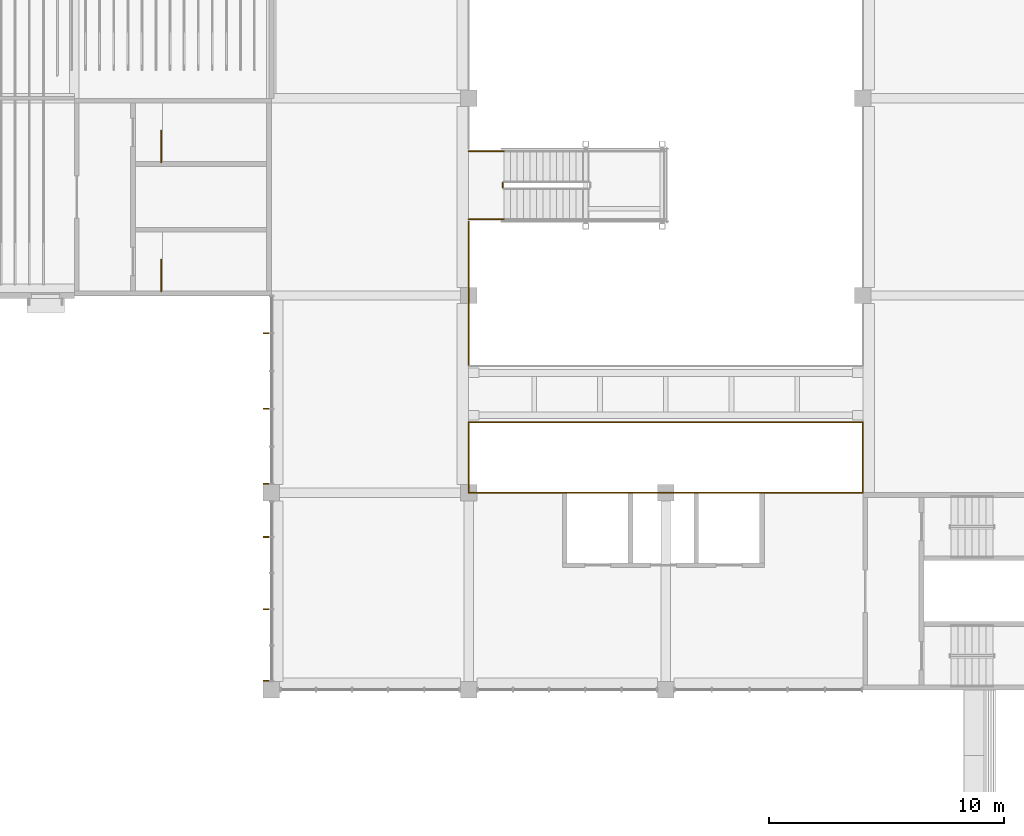
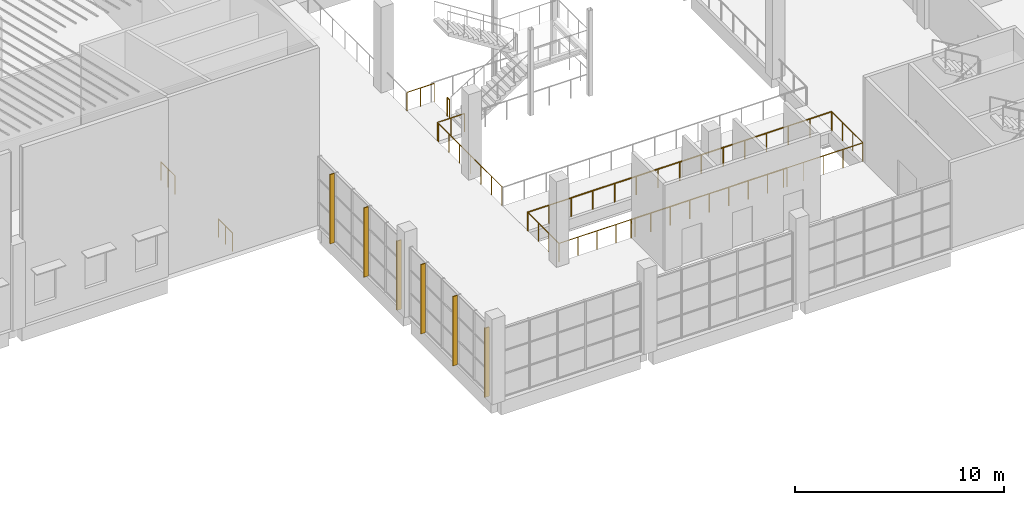
# One storey, part 69 of 82: 12 railings, 6 shading devices.
"""IFC4 building model written with IfcOpenShell, lengths in metres."""

from ifc_helpers import new_model, si_unit, direction, frame, origin, origin_2d, place, context, subcontext, project, spatial, rectangle, circle, extrude, material, material_profile, profile_set, type_object, element, save


model = new_model("IFC4")

# Units and contexts
model_context = context("Model", 3, precision=1e-05, world=origin(), true_north=direction((0.0, 1.0)))
body_context = subcontext(model_context, "Body", "Model", "MODEL_VIEW")
ifc_project = project(units=[si_unit("LENGTHUNIT", "METRE"), si_unit("AREAUNIT", "SQUARE_METRE"), si_unit("VOLUMEUNIT", "CUBIC_METRE"), si_unit("PLANEANGLEUNIT", "RADIAN"), si_unit("MASSUNIT", "GRAM", prefix="KILO")], contexts=[model_context])

# Site, building, storey
site_placement = place(None, origin())
site = spatial("IfcSite", under=ifc_project, at=site_placement, CompositionType="ELEMENT")
building_placement = place(site_placement, origin())
building = spatial("IfcBuilding", under=site, at=building_placement, Name="Almond Square Museum", CompositionType="ELEMENT")
storey_placement = place(building_placement, frame((0.0, 0.0, 20.0)))
storey = spatial("IfcBuildingStorey", under=building, at=storey_placement, Name="L03", CompositionType="ELEMENT", Elevation=20.0)

# Railings
ifc_material_1 = material(Name="Laminated glass and stainless steel", Category="steel")
railing_type_1 = type_object("IfcRailingType", Name="Atrium bridge guard 1100", PredefinedType="GUARDRAIL", material=ifc_material_1)
railing_1_placement = place(storey_placement, frame((81.60009765625, 78.60009765625, 0.0)))
element("IfcRailing", 1, at=railing_1_placement, inside=storey, type_object=railing_type_1, Name="BR-L03-1 bridge guard south", PredefinedType="GUARDRAIL", context=body_context, shape_type="SweptSolid", body=[
    extrude(circle(Radius=0.02392578125, at=origin_2d()), frame((0.0, 0.0, 1.076171875), z_axis=(1.0, 0.0, 0.0), x_axis=(0.0, 1.0, 0.0)), (0.0, 0.0, 1.0), 16.7998046875),
    extrude(circle(Radius=0.02099609375, at=origin_2d()), origin(), (0.0, 0.0, 1.0), 1.052001953125),
    extrude(circle(Radius=0.02099609375, at=origin_2d()), frame((1.199951171875, 0.0, 0.0)), (0.0, 0.0, 1.0), 1.052001953125),
    extrude(circle(Radius=0.02099609375, at=origin_2d()), frame((2.39990234375, 0.0, 0.0)), (0.0, 0.0, 1.0), 1.052001953125),
    extrude(circle(Radius=0.02099609375, at=origin_2d()), frame((3.599853515625, 0.0, 0.0)), (0.0, 0.0, 1.0), 1.052001953125),
    extrude(circle(Radius=0.02099609375, at=origin_2d()), frame((4.800048828125, 0.0, 0.0)), (0.0, 0.0, 1.0), 1.052001953125),
    extrude(circle(Radius=0.02099609375, at=origin_2d()), frame((6.0, 0.0, 0.0)), (0.0, 0.0, 1.0), 1.052001953125),
    extrude(circle(Radius=0.02099609375, at=origin_2d()), frame((7.199951171875, 0.0, 0.0)), (0.0, 0.0, 1.0), 1.052001953125),
    extrude(circle(Radius=0.02099609375, at=origin_2d()), frame((8.39990234375, 0.0, 0.0)), (0.0, 0.0, 1.0), 1.052001953125),
    extrude(circle(Radius=0.02099609375, at=origin_2d()), frame((9.599853515625, 0.0, 0.0)), (0.0, 0.0, 1.0), 1.052001953125),
    extrude(circle(Radius=0.02099609375, at=origin_2d()), frame((10.7998046875, 0.0, 0.0)), (0.0, 0.0, 1.0), 1.052001953125),
    extrude(circle(Radius=0.02099609375, at=origin_2d()), frame((11.999755859375, 0.0, 0.0)), (0.0, 0.0, 1.0), 1.052001953125),
    extrude(circle(Radius=0.02099609375, at=origin_2d()), frame((13.199951171875, 0.0, 0.0)), (0.0, 0.0, 1.0), 1.052001953125),
    extrude(circle(Radius=0.02099609375, at=origin_2d()), frame((14.39990234375, 0.0, 0.0)), (0.0, 0.0, 1.0), 1.052001953125),
    extrude(circle(Radius=0.02099609375, at=origin_2d()), frame((15.599853515625, 0.0, 0.0)), (0.0, 0.0, 1.0), 1.052001953125),
    extrude(circle(Radius=0.02099609375, at=origin_2d()), frame((16.7998046875, 0.0, 0.0)), (0.0, 0.0, 1.0), 1.052001953125),
])
ifc_material_2 = material(Name="Laminated glass and stainless steel", Category="steel")
railing_type_2 = type_object("IfcRailingType", Name="Atrium guard 1100 glass balustrade", PredefinedType="GUARDRAIL", material=ifc_material_2)
railing_2_placement = place(storey_placement, frame((81.60009765625, 75.60009765625, 0.0)))
element("IfcRailing", 2, at=railing_2_placement, inside=storey, type_object=railing_type_2, Name="L03 atrium guard 1", PredefinedType="GUARDRAIL", context=body_context, shape_type="SweptSolid", body=[
    extrude(circle(Radius=0.02392578125, at=origin_2d()), frame((0.0, 0.0, 1.076171875), z_axis=(0.0, 1.0, 0.0), x_axis=(-1.0, 0.0, 0.0)), (0.0, 0.0, 1.0), 2.949951171875),
    extrude(circle(Radius=0.02099609375, at=origin_2d()), origin(), (0.0, 0.0, 1.0), 1.052001953125),
    extrude(circle(Radius=0.02099609375, at=origin_2d()), frame((0.0, 0.9833984375, 0.0)), (0.0, 0.0, 1.0), 1.052001953125),
    extrude(circle(Radius=0.02099609375, at=origin_2d()), frame((0.0, 1.966552734375, 0.0)), (0.0, 0.0, 1.0), 1.052001953125),
    extrude(circle(Radius=0.02099609375, at=origin_2d()), frame((0.0, 2.949951171875, 0.0)), (0.0, 0.0, 1.0), 1.052001953125),
])
railing_3_placement = place(storey_placement, frame((81.60009765625, 81.050048828125, 0.0)))
element("IfcRailing", 3, at=railing_3_placement, inside=storey, type_object=railing_type_2, Name="L03 atrium guard 2", PredefinedType="GUARDRAIL", context=body_context, shape_type="SweptSolid", body=[
    extrude(circle(Radius=0.02392578125, at=origin_2d()), frame((0.0, 0.0, 1.076171875), z_axis=(0.0, 1.0, 0.0), x_axis=(-1.0, 0.0, 0.0)), (0.0, 0.0, 1.0), 6.099853515625),
    extrude(circle(Radius=0.02099609375, at=origin_2d()), origin(), (0.0, 0.0, 1.0), 1.052001953125),
    extrude(circle(Radius=0.02099609375, at=origin_2d()), frame((0.0, 1.0166015625, 0.0)), (0.0, 0.0, 1.0), 1.052001953125),
    extrude(circle(Radius=0.02099609375, at=origin_2d()), frame((0.0, 2.033203125, 0.0)), (0.0, 0.0, 1.0), 1.052001953125),
    extrude(circle(Radius=0.02099609375, at=origin_2d()), frame((0.0, 3.0498046875, 0.0)), (0.0, 0.0, 1.0), 1.052001953125),
    extrude(circle(Radius=0.02099609375, at=origin_2d()), frame((0.0, 4.066650390625, 0.0)), (0.0, 0.0, 1.0), 1.052001953125),
    extrude(circle(Radius=0.02099609375, at=origin_2d()), frame((0.0, 5.083251953125, 0.0)), (0.0, 0.0, 1.0), 1.052001953125),
    extrude(circle(Radius=0.02099609375, at=origin_2d()), frame((0.0, 6.099853515625, 0.0)), (0.0, 0.0, 1.0), 1.052001953125),
])
railing_4_placement = place(storey_placement, frame((98.39990234375, 75.60009765625, 0.0)))
element("IfcRailing", 4, at=railing_4_placement, inside=storey, type_object=railing_type_2, Name="L03 atrium guard 4", PredefinedType="GUARDRAIL", context=body_context, shape_type="SweptSolid", body=[
    extrude(circle(Radius=0.02392578125, at=origin_2d()), frame((0.0, 0.0, 1.076171875), z_axis=(0.0, 1.0, 0.0), x_axis=(-1.0, 0.0, 0.0)), (0.0, 0.0, 1.0), 2.949951171875),
    extrude(circle(Radius=0.02099609375, at=origin_2d()), origin(), (0.0, 0.0, 1.0), 1.052001953125),
    extrude(circle(Radius=0.02099609375, at=origin_2d()), frame((0.0, 0.9833984375, 0.0)), (0.0, 0.0, 1.0), 1.052001953125),
    extrude(circle(Radius=0.02099609375, at=origin_2d()), frame((0.0, 1.966552734375, 0.0)), (0.0, 0.0, 1.0), 1.052001953125),
    extrude(circle(Radius=0.02099609375, at=origin_2d()), frame((0.0, 2.949951171875, 0.0)), (0.0, 0.0, 1.0), 1.052001953125),
])
railing_5_placement = place(storey_placement, frame((81.60009765625, 75.60009765625, 0.0)))
element("IfcRailing", 5, at=railing_5_placement, inside=storey, type_object=railing_type_2, Name="L03 atrium guard 6", PredefinedType="GUARDRAIL", context=body_context, shape_type="SweptSolid", body=[
    extrude(circle(Radius=0.02392578125, at=origin_2d()), frame((0.0, 0.0, 1.076171875), z_axis=(1.0, 0.0, 0.0), x_axis=(0.0, 1.0, 0.0)), (0.0, 0.0, 1.0), 4.199951171875),
    extrude(circle(Radius=0.02099609375, at=origin_2d()), origin(), (0.0, 0.0, 1.0), 1.052001953125),
    extrude(circle(Radius=0.02099609375, at=origin_2d()), frame((1.050048828125, 0.0, 0.0)), (0.0, 0.0, 1.0), 1.052001953125),
    extrude(circle(Radius=0.02099609375, at=origin_2d()), frame((2.10009765625, 0.0, 0.0)), (0.0, 0.0, 1.0), 1.052001953125),
    extrude(circle(Radius=0.02099609375, at=origin_2d()), frame((3.14990234375, 0.0, 0.0)), (0.0, 0.0, 1.0), 1.052001953125),
    extrude(circle(Radius=0.02099609375, at=origin_2d()), frame((4.199951171875, 0.0, 0.0)), (0.0, 0.0, 1.0), 1.052001953125),
])
railing_6_placement = place(storey_placement, frame((94.0, 75.60009765625, 0.0)))
element("IfcRailing", 6, at=railing_6_placement, inside=storey, type_object=railing_type_2, Name="L03 atrium guard 7", PredefinedType="GUARDRAIL", context=body_context, shape_type="SweptSolid", body=[
    extrude(circle(Radius=0.02392578125, at=origin_2d()), frame((0.0, 0.0, 1.076171875), z_axis=(1.0, 0.0, 0.0), x_axis=(0.0, 1.0, 0.0)), (0.0, 0.0, 1.0), 4.39990234375),
    extrude(circle(Radius=0.02099609375, at=origin_2d()), origin(), (0.0, 0.0, 1.0), 1.052001953125),
    extrude(circle(Radius=0.02099609375, at=origin_2d()), frame((1.10009765625, 0.0, 0.0)), (0.0, 0.0, 1.0), 1.052001953125),
    extrude(circle(Radius=0.02099609375, at=origin_2d()), frame((2.199951171875, 0.0, 0.0)), (0.0, 0.0, 1.0), 1.052001953125),
    extrude(circle(Radius=0.02099609375, at=origin_2d()), frame((3.2998046875, 0.0, 0.0)), (0.0, 0.0, 1.0), 1.052001953125),
    extrude(circle(Radius=0.02099609375, at=origin_2d()), frame((4.39990234375, 0.0, 0.0)), (0.0, 0.0, 1.0), 1.052001953125),
])
railing_7_placement = place(storey_placement, frame((85.60009765625, 75.60009765625, 0.0)))
element("IfcRailing", 7, at=railing_7_placement, inside=storey, type_object=railing_type_2, Name="L03 atrium lift bank guard", PredefinedType="GUARDRAIL", context=body_context, shape_type="SweptSolid", body=[
    extrude(circle(Radius=0.02392578125, at=origin_2d()), frame((0.0, 0.0, 1.076171875), z_axis=(1.0, 0.0, 0.0), x_axis=(0.0, 1.0, 0.0)), (0.0, 0.0, 1.0), 8.599853515625),
    extrude(circle(Radius=0.02099609375, at=origin_2d()), origin(), (0.0, 0.0, 1.0), 1.052001953125),
    extrude(circle(Radius=0.02099609375, at=origin_2d()), frame((1.074951171875, 0.0, 0.0)), (0.0, 0.0, 1.0), 1.052001953125),
    extrude(circle(Radius=0.02099609375, at=origin_2d()), frame((2.14990234375, 0.0, 0.0)), (0.0, 0.0, 1.0), 1.052001953125),
    extrude(circle(Radius=0.02099609375, at=origin_2d()), frame((3.224853515625, 0.0, 0.0)), (0.0, 0.0, 1.0), 1.052001953125),
    extrude(circle(Radius=0.02099609375, at=origin_2d()), frame((4.2998046875, 0.0, 0.0)), (0.0, 0.0, 1.0), 1.052001953125),
    extrude(circle(Radius=0.02099609375, at=origin_2d()), frame((5.375, 0.0, 0.0)), (0.0, 0.0, 1.0), 1.052001953125),
    extrude(circle(Radius=0.02099609375, at=origin_2d()), frame((6.449951171875, 0.0, 0.0)), (0.0, 0.0, 1.0), 1.052001953125),
    extrude(circle(Radius=0.02099609375, at=origin_2d()), frame((7.52490234375, 0.0, 0.0)), (0.0, 0.0, 1.0), 1.052001953125),
    extrude(circle(Radius=0.02099609375, at=origin_2d()), frame((8.599853515625, 0.0, 0.0)), (0.0, 0.0, 1.0), 1.052001953125),
])
ifc_material_3 = material(Name="Stainless steel and laminated glass", Category="steel")
railing_type_3 = type_object("IfcRailingType", Name="Stair guard 1100 steel and glass", PredefinedType="GUARDRAIL", material=ifc_material_3)
for number, where, name in (
    (8, (68.5, 84.169921875, 0.0), "L03 ST-19 top well guard 1"),
    (9, (68.5, 89.669921875, 0.0), "L03 ST-20 top well guard 1"),
):
    element("IfcRailing", number, at=place(storey_placement, frame(where)), inside=storey, type_object=railing_type_3, Name=name, PredefinedType="GUARDRAIL", context=body_context, shape_type="SweptSolid", body=[
        extrude(circle(Radius=0.02392578125, at=origin_2d()), frame((0.0, 0.0, 1.076171875), z_axis=(0.0, 1.0, 0.0), x_axis=(-1.0, 0.0, 0.0)), (0.0, 0.0, 1.0), 1.35009765625),
        extrude(circle(Radius=0.02099609375, at=origin_2d()), origin(), (0.0, 0.0, 1.0), 1.052001953125),
        extrude(circle(Radius=0.02099609375, at=origin_2d()), frame((0.0, 0.675048828125, 0.0)), (0.0, 0.0, 1.0), 1.052001953125),
        extrude(circle(Radius=0.02099609375, at=origin_2d()), frame((0.0, 1.35009765625, 0.0)), (0.0, 0.0, 1.0), 1.052001953125),
    ])
railing_8_placement = place(storey_placement, frame((83.050048828125, 88.60009765625, 0.0)))
element("IfcRailing", 10, at=railing_8_placement, inside=storey, type_object=railing_type_3, Name="L03 ST-F stair guard 7", PredefinedType="GUARDRAIL", context=body_context, shape_type="SweptSolid", body=[
    extrude(circle(Radius=0.02392578125, at=origin_2d()), frame((0.0, 0.0, 1.076171875), z_axis=(0.0, 1.0, 0.0), x_axis=(-1.0, 0.0, 0.0)), (0.0, 0.0, 1.0), 0.199951171875),
    extrude(circle(Radius=0.02099609375, at=origin_2d()), origin(), (0.0, 0.0, 1.0), 1.052001953125),
    extrude(circle(Radius=0.02099609375, at=origin_2d()), frame((0.0, 0.199951171875, 0.0)), (0.0, 0.0, 1.0), 1.052001953125),
])
for number, where, name in (
    (11, (81.60009765625, 87.25, 0.0), "L03 ST-F stair guard 8"),
    (12, (81.60009765625, 90.14990234375, 0.0), "L03 ST-F stair guard 9"),
):
    element("IfcRailing", number, at=place(storey_placement, frame(where)), inside=storey, type_object=railing_type_3, Name=name, PredefinedType="GUARDRAIL", context=body_context, shape_type="SweptSolid", body=[
        extrude(circle(Radius=0.02392578125, at=origin_2d()), frame((0.0, 0.0, 1.076171875), z_axis=(1.0, 0.0, 0.0), x_axis=(0.0, 1.0, 0.0)), (0.0, 0.0, 1.0), 1.5),
        extrude(circle(Radius=0.02099609375, at=origin_2d()), origin(), (0.0, 0.0, 1.0), 1.052001953125),
        extrude(circle(Radius=0.02099609375, at=origin_2d()), frame((0.75, 0.0, 0.0)), (0.0, 0.0, 1.0), 1.052001953125),
        extrude(circle(Radius=0.02099609375, at=origin_2d()), frame((1.5, 0.0, 0.0)), (0.0, 0.0, 1.0), 1.052001953125),
    ])

# Shading devices
ifc_material_4 = material(Name="Cedar timber fin", Category="wood")
ifc_material_profile = material_profile(ifc_material_4, rectangle(XDim=0.25, YDim=0.050048828125, at=origin_2d()))
ifc_profile_set = profile_set([ifc_material_profile], Name="Cedar timber fin")
shading_device_type = type_object("IfcShadingDeviceType", Name="Timber fin 250 x 50", PredefinedType="USERDEFINED", material=ifc_profile_set)
for number, where, z_axis, x_axis, name in (
    (13, (72.97705078125, 75.97998046875, 0.0), (0.0, 0.0, 1.0), (-1.0, 0.0, 0.0), "Timber fin"),
    (14, (72.97705078125, 79.169921875, 0.0), (0.0, 0.0, 1.0), (-1.0, 0.0, 0.0), "Timber fin"),
    (15, (72.97705078125, 82.389892578125, 0.0), (0.0, 0.0, 1.0), (-1.0, 0.0, 0.0), "Timber fin"),
    (16, (72.97705078125, 67.580078125, 0.0), (0.0, 0.0, 1.0), (-1.0, 0.0, 0.0), "Timber fin"),
    (17, (72.97705078125, 70.6298828125, 0.0), (0.0, 0.0, 1.0), (-1.0, 0.0, 0.0), "Timber fin"),
    (18, (72.97705078125, 73.7099609375, 0.0), (0.0, 0.0, 1.0), (-1.0, 0.0, 0.0), "Timber fin"),
):
    element("IfcShadingDevice", number, at=place(storey_placement, frame(where, z_axis=z_axis, x_axis=x_axis)), inside=storey, type_object=shading_device_type, Name=name, ObjectType="FIN", PredefinedType="USERDEFINED", context=body_context, shape_type="SweptSolid", body=[
        extrude(rectangle(XDim=0.25, YDim=0.050048828125, at=origin_2d()), origin(), (0.0, 0.0, 1.0), 4.050048828125),
    ])

save(model, "model.ifc")
